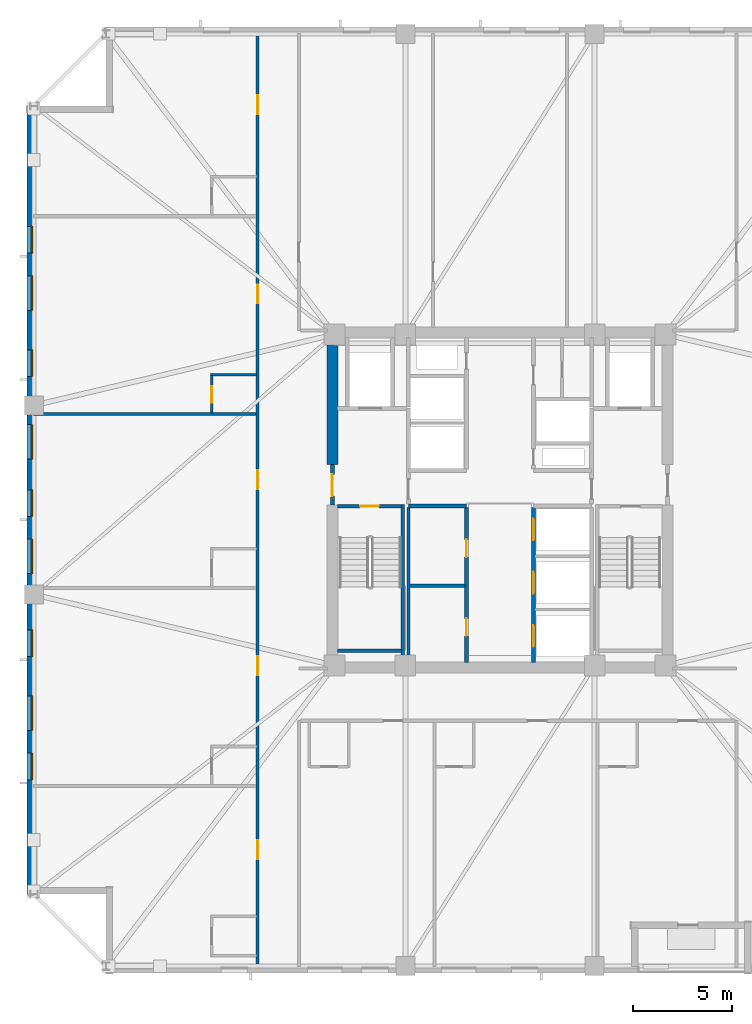
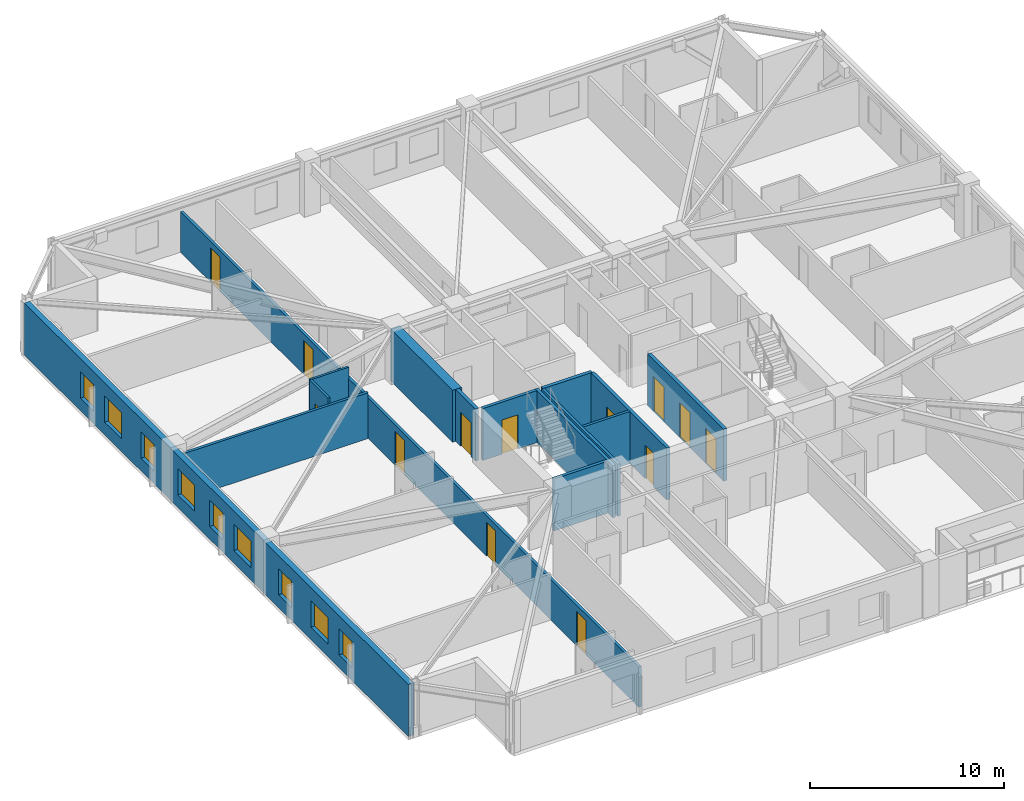
# One storey, part 3 of 11: 15 walls, 13 doors, 9 windows, 22 openings.
"""IFC4 building model written with IfcOpenShell, lengths in metres."""

from ifc_helpers import new_model, si_unit, direction, frame, frame_2d, origin, place, context, subcontext, project, spatial, rectangle, extrude, material, layer, layer_set, type_object, element, fill, save


model = new_model("IFC4")

# Units and contexts
model_context = context("Model", 3, precision=1e-05, world=origin(), true_north=direction((0.0, 1.0)))
body_context = subcontext(model_context, "Body", "Model", "MODEL_VIEW")
ifc_project = project(units=[si_unit("LENGTHUNIT", "METRE"), si_unit("AREAUNIT", "SQUARE_METRE"), si_unit("VOLUMEUNIT", "CUBIC_METRE"), si_unit("PLANEANGLEUNIT", "RADIAN"), si_unit("MASSUNIT", "GRAM", prefix="KILO")], contexts=[model_context])

# Site, building, storey
site_placement = place(None, origin())
site = spatial("IfcSite", under=ifc_project, at=site_placement, CompositionType="ELEMENT")
building_placement = place(site_placement, origin())
building = spatial("IfcBuilding", under=site, at=building_placement, Name="Cairnveth Concourse Tower", CompositionType="ELEMENT")
storey_placement = place(building_placement, frame((0.0, 0.0, 169.0)))
storey = spatial("IfcBuildingStorey", under=building, at=storey_placement, Name="L46", CompositionType="ELEMENT", Elevation=169.0)

# Walls
ifc_material_1 = material(Name="Gypsum Plasterboard Partition", Category="gypsum")
ifc_layer_1 = layer(ifc_material_1, 0.159912109375)
ifc_layer_set_1 = layer_set([ifc_layer_1], Name="Gypsum Plasterboard Partition")
wall_type_1 = type_object("IfcWallType", Name="ACOUSTIC PARTY WALL 180", PredefinedType="PARTITIONING", material=ifc_layer_set_1)
wall_1_placement = place(storey_placement, frame((47.35009765625, 30.760009765625, 0.0), z_axis=(0.0, 0.0, 1.0), x_axis=(0.0, 1.0, 0.0)))
element("IfcWall", 1, at=wall_1_placement, inside=storey, type_object=wall_type_1, Name="Interior Wall IW-L46-025", PredefinedType="PARTITIONING", context=body_context, shape_type="SweptSolid", body=[
    extrude(rectangle(XDim=7.85498046875, YDim=0.159912109375, at=frame_2d((3.927490234375, 0.0))), origin(), (0.0, 0.0, 1.0), 3.280029296875),
])
wall_2_placement = place(storey_placement, frame((47.4150390625, 34.64990234375, 0.0), z_axis=(0.0, 0.0, 1.0), x_axis=(1.0, 0.0, 0.0)))
element("IfcWall", 2, at=wall_2_placement, inside=storey, type_object=wall_type_1, Name="Interior Wall IW-L46-026", PredefinedType="PARTITIONING", context=body_context, shape_type="SweptSolid", body=[
    extrude(rectangle(XDim=2.800048828125, YDim=0.159912109375, at=frame_2d((1.39990234375, 0.0))), origin(), (0.0, 0.0, 1.0), 3.280029296875),
])

# Wall, openings, doors
wall_3_placement = place(storey_placement, frame((39.699951171875, 15.324951171875, 0.0), z_axis=(0.0, 0.0, 1.0), x_axis=(0.0, 1.0, 0.0)))
wall_3 = element("IfcWall", 3, at=wall_3_placement, inside=storey, type_object=wall_type_1, Name="Interior Wall IW-L46-037", PredefinedType="PARTITIONING", context=body_context, shape_type="SweptSolid", body=[
    extrude(rectangle(XDim=47.35009765625, YDim=0.159912109375, at=frame_2d((23.675048828125, 0.0))), origin(), (0.0, 0.0, 1.0), 2.554931640625),
])
opening_1_placement = place(wall_3_placement, frame((5.451416015625, 0.0, 0.0)))
opening_1 = element("IfcOpeningElement", 4, at=opening_1_placement, cuts=wall_3, Name="Opening ID09", PredefinedType="OPENING", context=body_context, shape_type="SweptSolid", body=[
    extrude(rectangle(XDim=0.9599609375, YDim=2.14990234375, at=frame_2d((0.47998046875, 1.074951171875))), frame((0.0, 0.08984375, 0.0), z_axis=(0.0, -1.0, 0.0), x_axis=(1.0, 0.0, 0.0)), (0.0, 0.0, 1.0), 0.179931640625),
])
opening_2_placement = place(wall_3_placement, frame((14.78271484375, 0.0, 0.0)))
opening_2 = element("IfcOpeningElement", 5, at=opening_2_placement, cuts=wall_3, Name="Opening ID09", PredefinedType="OPENING", context=body_context, shape_type="SweptSolid", body=[
    extrude(rectangle(XDim=0.9599609375, YDim=2.14990234375, at=frame_2d((0.47998046875, 1.074951171875))), frame((0.0, 0.08984375, 0.0), z_axis=(0.0, -1.0, 0.0), x_axis=(1.0, 0.0, 0.0)), (0.0, 0.0, 1.0), 0.179931640625),
])
opening_3_placement = place(wall_3_placement, frame((24.21484375, 0.0, 0.0)))
opening_3 = element("IfcOpeningElement", 6, at=opening_3_placement, cuts=wall_3, Name="Opening ID09", PredefinedType="OPENING", context=body_context, shape_type="SweptSolid", body=[
    extrude(rectangle(XDim=0.9599609375, YDim=2.14990234375, at=frame_2d((0.47998046875, 1.074951171875))), frame((0.0, 0.08984375, 0.0), z_axis=(0.0, -1.0, 0.0), x_axis=(1.0, 0.0, 0.0)), (0.0, 0.0, 1.0), 0.179931640625),
])
opening_4_placement = place(wall_3_placement, frame((33.646728515625, 0.0, 0.0)))
opening_4 = element("IfcOpeningElement", 7, at=opening_4_placement, cuts=wall_3, Name="Opening ID09", PredefinedType="OPENING", context=body_context, shape_type="SweptSolid", body=[
    extrude(rectangle(XDim=0.9599609375, YDim=2.14990234375, at=frame_2d((0.47998046875, 1.074951171875))), frame((0.0, 0.08984375, 0.0), z_axis=(0.0, -1.0, 0.0), x_axis=(1.0, 0.0, 0.0)), (0.0, 0.0, 1.0), 0.179931640625),
])
opening_5_placement = place(wall_3_placement, frame((43.25830078125, 0.0, 0.0)))
opening_5 = element("IfcOpeningElement", 8, at=opening_5_placement, cuts=wall_3, Name="Opening ID09", PredefinedType="OPENING", context=body_context, shape_type="SweptSolid", body=[
    extrude(rectangle(XDim=0.9599609375, YDim=2.14990234375, at=frame_2d((0.47998046875, 1.074951171875))), frame((0.0, 0.08984375, 0.0), z_axis=(0.0, -1.0, 0.0), x_axis=(1.0, 0.0, 0.0)), (0.0, 0.0, 1.0), 0.179931640625),
])
ifc_material_2 = material(Name="Solid Core Hardwood Timber Leaf", Category="wood")
door_type_1 = type_object("IfcDoorType", Name="HOTEL ENTRANCE DOOR 960X2150", OperationType="NOTDEFINED", PredefinedType="DOOR", material=ifc_material_2)
door_1_placement = place(opening_1_placement, origin())
door_1 = element("IfcDoor", 9, at=door_1_placement, inside=storey, type_object=door_type_1, Name="Hotel Room Door L46-W1", OperationType="SINGLE_SWING_RIGHT", OverallHeight=2.14990234375, OverallWidth=0.9599609375, PredefinedType="DOOR", context=body_context, shape_type="SweptSolid", body=[
    extrude(rectangle(XDim=0.9599609375, YDim=2.14990234375, at=frame_2d((0.47998046875, 1.074951171875))), frame((0.0, 0.02490234375, 0.0), z_axis=(0.0, -1.0, 0.0), x_axis=(1.0, 0.0, 0.0)), (0.0, 0.0, 1.0), 0.050048828125),
])
fill(opening_1, door_1)
door_2_placement = place(opening_2_placement, origin())
door_2 = element("IfcDoor", 10, at=door_2_placement, inside=storey, type_object=door_type_1, Name="Hotel Room Door L46-W2", OperationType="SINGLE_SWING_RIGHT", OverallHeight=2.14990234375, OverallWidth=0.9599609375, PredefinedType="DOOR", context=body_context, shape_type="SweptSolid", body=[
    extrude(rectangle(XDim=0.9599609375, YDim=2.14990234375, at=frame_2d((0.47998046875, 1.074951171875))), frame((0.0, 0.02490234375, 0.0), z_axis=(0.0, -1.0, 0.0), x_axis=(1.0, 0.0, 0.0)), (0.0, 0.0, 1.0), 0.050048828125),
])
fill(opening_2, door_2)
door_3_placement = place(opening_3_placement, origin())
door_3 = element("IfcDoor", 11, at=door_3_placement, inside=storey, type_object=door_type_1, Name="Hotel Room Door L46-W3", OperationType="SINGLE_SWING_RIGHT", OverallHeight=2.14990234375, OverallWidth=0.9599609375, PredefinedType="DOOR", context=body_context, shape_type="SweptSolid", body=[
    extrude(rectangle(XDim=0.9599609375, YDim=2.14990234375, at=frame_2d((0.47998046875, 1.074951171875))), frame((0.0, 0.02490234375, 0.0), z_axis=(0.0, -1.0, 0.0), x_axis=(1.0, 0.0, 0.0)), (0.0, 0.0, 1.0), 0.050048828125),
])
fill(opening_3, door_3)
door_4_placement = place(opening_4_placement, origin())
door_4 = element("IfcDoor", 12, at=door_4_placement, inside=storey, type_object=door_type_1, Name="Hotel Room Door L46-W4", OperationType="SINGLE_SWING_RIGHT", OverallHeight=2.14990234375, OverallWidth=0.9599609375, PredefinedType="DOOR", context=body_context, shape_type="SweptSolid", body=[
    extrude(rectangle(XDim=0.9599609375, YDim=2.14990234375, at=frame_2d((0.47998046875, 1.074951171875))), frame((0.0, 0.02490234375, 0.0), z_axis=(0.0, -1.0, 0.0), x_axis=(1.0, 0.0, 0.0)), (0.0, 0.0, 1.0), 0.050048828125),
])
fill(opening_4, door_4)
door_5_placement = place(opening_5_placement, origin())
door_5 = element("IfcDoor", 13, at=door_5_placement, inside=storey, type_object=door_type_1, Name="Hotel Room Door L46-W5", OperationType="SINGLE_SWING_RIGHT", OverallHeight=2.14990234375, OverallWidth=0.9599609375, PredefinedType="DOOR", context=body_context, shape_type="SweptSolid", body=[
    extrude(rectangle(XDim=0.9599609375, YDim=2.14990234375, at=frame_2d((0.47998046875, 1.074951171875))), frame((0.0, 0.02490234375, 0.0), z_axis=(0.0, -1.0, 0.0), x_axis=(1.0, 0.0, 0.0)), (0.0, 0.0, 1.0), 0.050048828125),
])
fill(opening_5, door_5)

# Walls
wall_4_placement = place(storey_placement, frame((28.324951171875, 43.35693359375, 0.0), z_axis=(0.0, 0.0, 1.0), x_axis=(1.0, 0.0, 0.0)))
element("IfcWall", 14, at=wall_4_placement, inside=storey, type_object=wall_type_1, Name="Interior Wall IW-L46-068", PredefinedType="PARTITIONING", context=body_context, shape_type="SweptSolid", body=[
    extrude(rectangle(XDim=11.295166015625, YDim=0.159912109375, at=frame_2d((5.6474609375, 0.0))), origin(), (0.0, 0.0, 1.0), 2.89599609375),
])
ifc_material_3 = material(Name="Concrete N80 (80 MPa)", Category="concrete")
ifc_layer_2 = layer(ifc_material_3, 0.550048828125)
ifc_layer_set_2 = layer_set([ifc_layer_2], Name="Concrete N80 (80 MPa)")
wall_type_2 = type_object("IfcWallType", Name="CORE SHEAR WALL 550", PredefinedType="SHEAR", material=ifc_layer_set_2)
wall_5_placement = place(storey_placement, frame((43.5, 40.800048828125, 0.0), z_axis=(0.0, 0.0, 1.0), x_axis=(0.0, 1.0, 0.0)))
element("IfcWall", 15, at=wall_5_placement, inside=storey, type_object=wall_type_2, Name="Core West Shear Wall N L46", PredefinedType="SHEAR", context=body_context, shape_type="SweptSolid", body=[
    extrude(rectangle(XDim=6.43505859375, YDim=0.550048828125, at=frame_2d((3.217529296875, 0.0))), origin(), (0.0, 0.0, 1.0), 3.280029296875),
])

# Wall, opening, door
ifc_material_4 = material(Name="Concrete N50 (50 MPa)", Category="concrete")
ifc_layer_3 = layer(ifc_material_4, 0.179931640625)
ifc_layer_set_3 = layer_set([ifc_layer_3], Name="Concrete N50 (50 MPa)")
wall_type_3 = type_object("IfcWallType", Name="FIRE SHAFT WALL 180", PredefinedType="SOLIDWALL", material=ifc_layer_set_3)
wall_6_placement = place(storey_placement, frame((43.764892578125, 38.68994140625, 0.0), z_axis=(0.0, 0.0, 1.0), x_axis=(1.0, 0.0, 0.0)))
wall_6 = element("IfcWall", 16, at=wall_6_placement, inside=storey, type_object=wall_type_3, Name="Stair ST-1 Shaft Wall NEAR L46", PredefinedType="SOLIDWALL", context=body_context, shape_type="SweptSolid", body=[
    extrude(rectangle(XDim=3.230224609375, YDim=0.179931640625, at=frame_2d((1.615234375, 0.0))), origin(), (0.0, 0.0, 1.0), 3.280029296875),
])
opening_6_placement = place(wall_6_placement, frame((1.139892578125, 0.0, 0.0)))
opening_6 = element("IfcOpeningElement", 17, at=opening_6_placement, cuts=wall_6, Name="Opening ID12", PredefinedType="OPENING", context=body_context, shape_type="SweptSolid", body=[
    extrude(rectangle(XDim=0.949951171875, YDim=2.14990234375, at=frame_2d((0.47509765625, 1.074951171875))), frame((0.0, 0.099853515625, 0.0), z_axis=(0.0, -1.0, 0.0), x_axis=(1.0, 0.0, 0.0)), (0.0, 0.0, 1.0), 0.199951171875),
])
ifc_material_5 = material(Name="Steel Grade 350", Category="steel")
door_type_2 = type_object("IfcDoorType", Name="FIRE STAIR DOOR 950X2150", OperationType="NOTDEFINED", PredefinedType="DOOR", material=ifc_material_5)
door_6_placement = place(opening_6_placement, origin())
door_6 = element("IfcDoor", 18, at=door_6_placement, inside=storey, type_object=door_type_2, Name="Stair ST-1 Fire Door L46", OperationType="SINGLE_SWING_LEFT", OverallHeight=2.14990234375, OverallWidth=0.949951171875, PredefinedType="DOOR", context=body_context, shape_type="SweptSolid", body=[
    extrude(rectangle(XDim=0.949951171875, YDim=2.14990234375, at=frame_2d((0.47509765625, 1.074951171875))), frame((0.0, 0.02490234375, 0.0), z_axis=(0.0, -1.0, 0.0), x_axis=(1.0, 0.0, 0.0)), (0.0, 0.0, 1.0), 0.050048828125),
])
fill(opening_6, door_6)

# Walls
wall_7_placement = place(storey_placement, frame((43.764892578125, 31.360107421875, 0.0), z_axis=(0.0, 0.0, 1.0), x_axis=(1.0, 0.0, 0.0)))
element("IfcWall", 19, at=wall_7_placement, inside=storey, type_object=wall_type_3, Name="Stair ST-1 Shaft Wall FAR L46", PredefinedType="SOLIDWALL", context=body_context, shape_type="SweptSolid", body=[
    extrude(rectangle(XDim=3.230224609375, YDim=0.179931640625, at=frame_2d((1.615234375, 0.0))), origin(), (0.0, 0.0, 1.0), 3.280029296875),
])
wall_8_placement = place(storey_placement, frame((47.070068359375, 38.780029296875, 0.0), z_axis=(0.0, 0.0, 1.0), x_axis=(0.0, -1.0, 0.0)))
element("IfcWall", 20, at=wall_8_placement, inside=storey, type_object=wall_type_3, Name="Stair ST-1 Shaft Wall RGHT L46", PredefinedType="SOLIDWALL", context=body_context, shape_type="SweptSolid", body=[
    extrude(rectangle(XDim=8.01708984375, YDim=0.179931640625, at=frame_2d((4.008544921875, 0.0))), origin(), (0.0, 0.0, 1.0), 3.280029296875),
])
ifc_layer_4 = layer(ifc_material_4, 0.199951171875)
ifc_layer_set_4 = layer_set([ifc_layer_4], Name="Concrete N50 (50 MPa)")
wall_type_4 = type_object("IfcWallType", Name="FIRE SHAFT WALL 200", PredefinedType="SOLIDWALL", material=ifc_layer_set_4)
wall_9_placement = place(storey_placement, frame((47.35009765625, 38.699951171875, 0.0), z_axis=(0.0, 0.0, 1.0), x_axis=(1.0, 0.0, 0.0)))
element("IfcWall", 21, at=wall_9_placement, inside=storey, type_object=wall_type_4, Name="Interior Wall IW-L46-007", PredefinedType="SOLIDWALL", context=body_context, shape_type="SweptSolid", body=[
    extrude(rectangle(XDim=2.949951171875, YDim=0.199951171875, at=frame_2d((1.47509765625, 0.0))), origin(), (0.0, 0.0, 1.0), 3.280029296875),
])

# Wall, openings, doors
wall_10_placement = place(storey_placement, frame((50.300048828125, 30.760009765625, 0.0), z_axis=(0.0, 0.0, 1.0), x_axis=(0.0, 1.0, 0.0)))
wall_10 = element("IfcWall", 22, at=wall_10_placement, inside=storey, type_object=wall_type_4, Name="Interior Wall IW-L46-011", PredefinedType="SOLIDWALL", context=body_context, shape_type="SweptSolid", body=[
    extrude(rectangle(XDim=7.85498046875, YDim=0.199951171875, at=frame_2d((3.927490234375, 0.0))), origin(), (0.0, 0.0, 1.0), 3.280029296875),
])
opening_7_placement = place(wall_10_placement, frame((1.340087890625, 0.0, 0.0)))
opening_7 = element("IfcOpeningElement", 23, at=opening_7_placement, cuts=wall_10, Name="Opening ID26", PredefinedType="OPENING", context=body_context, shape_type="SweptSolid", body=[
    extrude(rectangle(XDim=0.89990234375, YDim=2.1201171875, at=frame_2d((0.449951171875, 1.06005859375))), frame((0.0, 0.10986328125, 0.0), z_axis=(0.0, -1.0, 0.0), x_axis=(1.0, 0.0, 0.0)), (0.0, 0.0, 1.0), 0.219970703125),
])
opening_8_placement = place(wall_10_placement, frame((5.340087890625, 0.0, 0.0)))
opening_8 = element("IfcOpeningElement", 24, at=opening_8_placement, cuts=wall_10, Name="Opening ID26", PredefinedType="OPENING", context=body_context, shape_type="SweptSolid", body=[
    extrude(rectangle(XDim=0.89990234375, YDim=2.1201171875, at=frame_2d((0.449951171875, 1.06005859375))), frame((0.0, 0.10986328125, 0.0), z_axis=(0.0, -1.0, 0.0), x_axis=(1.0, 0.0, 0.0)), (0.0, 0.0, 1.0), 0.219970703125),
])
door_type_3 = type_object("IfcDoorType", Name="CORE TOILET FIRE DOOR 900X2120", OperationType="NOTDEFINED", PredefinedType="DOOR", material=ifc_material_5)
door_7_placement = place(opening_7_placement, origin())
door_7 = element("IfcDoor", 25, at=door_7_placement, inside=storey, type_object=door_type_3, Name="Male WC Door L46", OperationType="SINGLE_SWING_LEFT", OverallHeight=2.1201171875, OverallWidth=0.89990234375, PredefinedType="DOOR", context=body_context, shape_type="SweptSolid", body=[
    extrude(rectangle(XDim=0.89990234375, YDim=2.1201171875, at=frame_2d((0.449951171875, 1.06005859375))), frame((0.0, 0.02490234375, 0.0), z_axis=(0.0, -1.0, 0.0), x_axis=(1.0, 0.0, 0.0)), (0.0, 0.0, 1.0), 0.050048828125),
])
fill(opening_7, door_7)
door_8_placement = place(opening_8_placement, origin())
door_8 = element("IfcDoor", 26, at=door_8_placement, inside=storey, type_object=door_type_3, Name="Female WC Door L46", OperationType="SINGLE_SWING_RIGHT", OverallHeight=2.1201171875, OverallWidth=0.89990234375, PredefinedType="DOOR", context=body_context, shape_type="SweptSolid", body=[
    extrude(rectangle(XDim=0.89990234375, YDim=2.1201171875, at=frame_2d((0.449951171875, 1.06005859375))), frame((0.0, 0.02490234375, 0.0), z_axis=(0.0, -1.0, 0.0), x_axis=(1.0, 0.0, 0.0)), (0.0, 0.0, 1.0), 0.050048828125),
])
fill(opening_8, door_8)

wall_11_placement = place(storey_placement, frame((53.699951171875, 30.760009765625, 0.0), z_axis=(0.0, 0.0, 1.0), x_axis=(0.0, 1.0, 0.0)))
wall_11 = element("IfcWall", 27, at=wall_11_placement, inside=storey, type_object=wall_type_4, Name="Interior Wall IW-L46-012", PredefinedType="SOLIDWALL", context=body_context, shape_type="SweptSolid", body=[
    extrude(rectangle(XDim=7.85498046875, YDim=0.199951171875, at=frame_2d((3.927490234375, 0.0))), origin(), (0.0, 0.0, 1.0), 3.280029296875),
])
opening_9_placement = place(wall_11_placement, frame((0.7900390625, 0.0, 0.0)))
opening_9 = element("IfcOpeningElement", 28, at=opening_9_placement, cuts=wall_11, Name="Opening LD-1", PredefinedType="OPENING", context=body_context, shape_type="SweptSolid", body=[
    extrude(rectangle(XDim=1.10009765625, YDim=2.199951171875, at=frame_2d((0.550048828125, 1.10009765625))), frame((0.0, 0.10986328125, 0.0), z_axis=(0.0, -1.0, 0.0), x_axis=(1.0, 0.0, 0.0)), (0.0, 0.0, 1.0), 0.219970703125),
])
opening_10_placement = place(wall_11_placement, frame((3.489990234375, 0.0, 0.0)))
opening_10 = element("IfcOpeningElement", 29, at=opening_10_placement, cuts=wall_11, Name="Opening LD-1", PredefinedType="OPENING", context=body_context, shape_type="SweptSolid", body=[
    extrude(rectangle(XDim=1.10009765625, YDim=2.199951171875, at=frame_2d((0.550048828125, 1.10009765625))), frame((0.0, 0.10986328125, 0.0), z_axis=(0.0, -1.0, 0.0), x_axis=(1.0, 0.0, 0.0)), (0.0, 0.0, 1.0), 0.219970703125),
])
opening_11_placement = place(wall_11_placement, frame((6.18994140625, 0.0, 0.0)))
opening_11 = element("IfcOpeningElement", 30, at=opening_11_placement, cuts=wall_11, Name="Opening LD-1", PredefinedType="OPENING", context=body_context, shape_type="SweptSolid", body=[
    extrude(rectangle(XDim=1.10009765625, YDim=2.199951171875, at=frame_2d((0.550048828125, 1.10009765625))), frame((0.0, 0.10986328125, 0.0), z_axis=(0.0, -1.0, 0.0), x_axis=(1.0, 0.0, 0.0)), (0.0, 0.0, 1.0), 0.219970703125),
])
ifc_material_6 = material(Name="Architectural Bronze Anodised Aluminium 6063-T6", Category="aluminium")
door_type_4 = type_object("IfcDoorType", Name="LIFT LANDING DOOR 1100X2200", OperationType="SLIDING_TO_LEFT", PredefinedType="DOOR", material=ifc_material_6)
door_9_placement = place(opening_9_placement, origin())
door_9 = element("IfcDoor", 31, at=door_9_placement, inside=storey, type_object=door_type_4, Name="Lift PL4 Landing Door L46", OperationType="SLIDING_TO_LEFT", OverallHeight=2.199951171875, OverallWidth=1.10009765625, PredefinedType="DOOR", context=body_context, shape_type="SweptSolid", body=[
    extrude(rectangle(XDim=1.10009765625, YDim=2.199951171875, at=frame_2d((0.550048828125, 1.10009765625))), frame((0.0, 0.02490234375, 0.0), z_axis=(0.0, -1.0, 0.0), x_axis=(1.0, 0.0, 0.0)), (0.0, 0.0, 1.0), 0.050048828125),
])
fill(opening_9, door_9)
door_10_placement = place(opening_10_placement, origin())
door_10 = element("IfcDoor", 32, at=door_10_placement, inside=storey, type_object=door_type_4, Name="Lift PL5 Landing Door L46", OperationType="SLIDING_TO_LEFT", OverallHeight=2.199951171875, OverallWidth=1.10009765625, PredefinedType="DOOR", context=body_context, shape_type="SweptSolid", body=[
    extrude(rectangle(XDim=1.10009765625, YDim=2.199951171875, at=frame_2d((0.550048828125, 1.10009765625))), frame((0.0, 0.02490234375, 0.0), z_axis=(0.0, -1.0, 0.0), x_axis=(1.0, 0.0, 0.0)), (0.0, 0.0, 1.0), 0.050048828125),
])
fill(opening_10, door_10)
door_11_placement = place(opening_11_placement, origin())
door_11 = element("IfcDoor", 33, at=door_11_placement, inside=storey, type_object=door_type_4, Name="Lift PL6 Landing Door L46", OperationType="SLIDING_TO_LEFT", OverallHeight=2.199951171875, OverallWidth=1.10009765625, PredefinedType="DOOR", context=body_context, shape_type="SweptSolid", body=[
    extrude(rectangle(XDim=1.10009765625, YDim=2.199951171875, at=frame_2d((0.550048828125, 1.10009765625))), frame((0.0, 0.02490234375, 0.0), z_axis=(0.0, -1.0, 0.0), x_axis=(1.0, 0.0, 0.0)), (0.0, 0.0, 1.0), 0.050048828125),
])
fill(opening_11, door_11)

# Wall, opening, door
wall_12_placement = place(storey_placement, frame((43.5, 38.75, 0.0), z_axis=(0.0, 0.0, 1.0), x_axis=(0.0, 1.0, 0.0)))
wall_12 = element("IfcWall", 34, at=wall_12_placement, inside=storey, type_object=wall_type_4, Name="Interior Wall IW-L46-015", PredefinedType="SOLIDWALL", context=body_context, shape_type="SweptSolid", body=[
    extrude(rectangle(XDim=2.050048828125, YDim=0.199951171875, at=frame_2d((1.02490234375, 0.0))), origin(), (0.0, 0.0, 1.0), 3.280029296875),
])
opening_12_placement = place(wall_12_placement, frame((0.449951171875, 0.0, 0.0)))
opening_12 = element("IfcOpeningElement", 35, at=opening_12_placement, cuts=wall_12, Name="Opening ID06", PredefinedType="OPENING", context=body_context, shape_type="SweptSolid", body=[
    extrude(rectangle(XDim=1.10009765625, YDim=2.14990234375, at=frame_2d((0.550048828125, 1.074951171875))), frame((0.0, 0.10986328125, 0.0), z_axis=(0.0, -1.0, 0.0), x_axis=(1.0, 0.0, 0.0)), (0.0, 0.0, 1.0), 0.219970703125),
])
door_type_5 = type_object("IfcDoorType", Name="FIRE CORRIDOR DOOR 1100X2150", OperationType="NOTDEFINED", PredefinedType="DOOR", material=ifc_material_5)
door_12_placement = place(opening_12_placement, origin())
door_12 = element("IfcDoor", 36, at=door_12_placement, inside=storey, type_object=door_type_5, Name="West Wing to FF Lobby Door L46", OperationType="SINGLE_SWING_LEFT", OverallHeight=2.14990234375, OverallWidth=1.10009765625, PredefinedType="DOOR", context=body_context, shape_type="SweptSolid", body=[
    extrude(rectangle(XDim=1.10009765625, YDim=2.14990234375, at=frame_2d((0.550048828125, 1.074951171875))), frame((0.0, 0.02490234375, 0.0), z_axis=(0.0, -1.0, 0.0), x_axis=(1.0, 0.0, 0.0)), (0.0, 0.0, 1.0), 0.050048828125),
])
fill(opening_12, door_12)

# Wall
ifc_layer_5 = layer(ifc_material_1, 0.1298828125)
ifc_layer_set_5 = layer_set([ifc_layer_5], Name="Gypsum Plasterboard Partition")
wall_type_5 = type_object("IfcWallType", Name="WET AREA PARTITION 140", PredefinedType="PLUMBINGWALL", material=ifc_layer_set_5)
wall_13_placement = place(storey_placement, frame((37.320068359375, 45.35693359375, 0.0), z_axis=(0.0, 0.0, 1.0), x_axis=(1.0, 0.0, 0.0)))
element("IfcWall", 37, at=wall_13_placement, inside=storey, type_object=wall_type_5, Name="Interior Wall IW-L46-069", PredefinedType="PLUMBINGWALL", context=body_context, shape_type="SweptSolid", body=[
    extrude(rectangle(XDim=2.31494140625, YDim=0.1298828125, at=frame_2d((1.157470703125, 0.0))), origin(), (0.0, 0.0, 1.0), 3.280029296875),
])

# Wall, opening, door
wall_14_placement = place(storey_placement, frame((37.3701171875, 43.421875, 0.0), z_axis=(0.0, 0.0, 1.0), x_axis=(0.0, 1.0, 0.0)))
wall_14 = element("IfcWall", 38, at=wall_14_placement, inside=storey, type_object=wall_type_5, Name="Interior Wall IW-L46-070", PredefinedType="PLUMBINGWALL", context=body_context, shape_type="SweptSolid", body=[
    extrude(rectangle(XDim=1.885009765625, YDim=0.1298828125, at=frame_2d((0.9423828125, 0.0))), origin(), (0.0, 0.0, 1.0), 3.280029296875),
])
opening_13_placement = place(wall_14_placement, frame((0.52490234375, 0.0, 0.0)))
opening_13 = element("IfcOpeningElement", 39, at=opening_13_placement, cuts=wall_14, Name="Opening ID22", PredefinedType="OPENING", context=body_context, shape_type="SweptSolid", body=[
    extrude(rectangle(XDim=0.820068359375, YDim=2.10009765625, at=frame_2d((0.41015625, 1.050048828125))), frame((0.0, 0.074951171875, 0.0), z_axis=(0.0, -1.0, 0.0), x_axis=(1.0, 0.0, 0.0)), (0.0, 0.0, 1.0), 0.14990234375),
])
door_type_6 = type_object("IfcDoorType", Name="INTERIOR WC DOOR 820X2100", OperationType="NOTDEFINED", PredefinedType="DOOR", material=ifc_material_2)
door_13_placement = place(opening_13_placement, origin())
door_13 = element("IfcDoor", 40, at=door_13_placement, inside=storey, type_object=door_type_6, Name="En-Suite Door L46-W4", OperationType="SINGLE_SWING_LEFT", OverallHeight=2.10009765625, OverallWidth=0.820068359375, PredefinedType="DOOR", context=body_context, shape_type="SweptSolid", body=[
    extrude(rectangle(XDim=0.820068359375, YDim=2.10009765625, at=frame_2d((0.41015625, 1.050048828125))), frame((0.0, 0.02490234375, 0.0), z_axis=(0.0, -1.0, 0.0), x_axis=(1.0, 0.0, 0.0)), (0.0, 0.0, 1.0), 0.050048828125),
])
fill(opening_13, door_13)

# Wall, openings, windows
ifc_material_7 = material(Name="Hawthorn Red-Ochre Fired Clay Brick Masonry", Category="masonry")
ifc_layer_6 = layer(ifc_material_7, 0.340087890625)
ifc_layer_set_6 = layer_set([ifc_layer_6], Name="Hawthorn Red-Ochre Fired Clay Brick Masonry")
wall_type_6 = type_object("IfcWallType", Name="ZONE 2 BRICK PIER SPANDREL WALL 340", PredefinedType="SOLIDWALL", material=ifc_layer_set_6)
wall_15_placement = place(storey_placement, frame((28.169921875, 19.0, 0.0), z_axis=(0.0, 0.0, 1.0), x_axis=(0.0, 1.0, 0.0)))
wall_15 = element("IfcWall", 41, at=wall_15_placement, inside=storey, type_object=wall_type_6, Name="Exterior Wall EW-L46-S03", PredefinedType="SOLIDWALL", context=body_context, shape_type="SweptSolid", body=[
    extrude(rectangle(XDim=39.681884765625, YDim=0.340087890625, at=frame_2d((19.8408203125, 0.0))), origin(), (0.0, 0.0, 1.0), 3.280029296875),
])
opening_14_placement = place(wall_15_placement, frame((5.8017578125, 0.0, 0.800048828125)))
opening_14 = element("IfcOpeningElement", 42, at=opening_14_placement, cuts=wall_15, Name="Opening W02", PredefinedType="OPENING", context=body_context, shape_type="SweptSolid", body=[
    extrude(rectangle(XDim=1.35009765625, YDim=1.659912109375, at=frame_2d((0.675048828125, 0.830078125))), frame((0.0, 0.179931640625, 0.0), z_axis=(0.0, -1.0, 0.0), x_axis=(1.0, 0.0, 0.0)), (0.0, 0.0, 1.0), 0.360107421875),
])
opening_15_placement = place(wall_15_placement, frame((8.305419921875, 0.0, 0.800048828125)))
opening_15 = element("IfcOpeningElement", 43, at=opening_15_placement, cuts=wall_15, Name="Opening W06", PredefinedType="OPENING", context=body_context, shape_type="SweptSolid", body=[
    extrude(rectangle(XDim=1.75, YDim=1.659912109375, at=frame_2d((0.875, 0.830078125))), frame((0.0, 0.179931640625, 0.0), z_axis=(0.0, -1.0, 0.0), x_axis=(1.0, 0.0, 0.0)), (0.0, 0.0, 1.0), 0.360107421875),
])
opening_16_placement = place(wall_15_placement, frame((12.058837890625, 0.0, 0.800048828125)))
opening_16 = element("IfcOpeningElement", 44, at=opening_16_placement, cuts=wall_15, Name="Opening W02", PredefinedType="OPENING", context=body_context, shape_type="SweptSolid", body=[
    extrude(rectangle(XDim=1.35009765625, YDim=1.659912109375, at=frame_2d((0.675048828125, 0.830078125))), frame((0.0, 0.179931640625, 0.0), z_axis=(0.0, -1.0, 0.0), x_axis=(1.0, 0.0, 0.0)), (0.0, 0.0, 1.0), 0.360107421875),
])
opening_17_placement = place(wall_15_placement, frame((16.262451171875, 0.0, 0.800048828125)))
opening_17 = element("IfcOpeningElement", 45, at=opening_17_placement, cuts=wall_15, Name="Opening W06", PredefinedType="OPENING", context=body_context, shape_type="SweptSolid", body=[
    extrude(rectangle(XDim=1.75, YDim=1.659912109375, at=frame_2d((0.875, 0.830078125))), frame((0.0, 0.179931640625, 0.0), z_axis=(0.0, -1.0, 0.0), x_axis=(1.0, 0.0, 0.0)), (0.0, 0.0, 1.0), 0.360107421875),
])
opening_18_placement = place(wall_15_placement, frame((19.166015625, 0.0, 0.800048828125)))
opening_18 = element("IfcOpeningElement", 46, at=opening_18_placement, cuts=wall_15, Name="Opening W02", PredefinedType="OPENING", context=body_context, shape_type="SweptSolid", body=[
    extrude(rectangle(XDim=1.35009765625, YDim=1.659912109375, at=frame_2d((0.675048828125, 0.830078125))), frame((0.0, 0.179931640625, 0.0), z_axis=(0.0, -1.0, 0.0), x_axis=(1.0, 0.0, 0.0)), (0.0, 0.0, 1.0), 0.360107421875),
])
opening_19_placement = place(wall_15_placement, frame((22.069580078125, 0.0, 0.800048828125)))
opening_19 = element("IfcOpeningElement", 47, at=opening_19_placement, cuts=wall_15, Name="Opening W06", PredefinedType="OPENING", context=body_context, shape_type="SweptSolid", body=[
    extrude(rectangle(XDim=1.75, YDim=1.659912109375, at=frame_2d((0.875, 0.830078125))), frame((0.0, 0.179931640625, 0.0), z_axis=(0.0, -1.0, 0.0), x_axis=(1.0, 0.0, 0.0)), (0.0, 0.0, 1.0), 0.360107421875),
])
opening_20_placement = place(wall_15_placement, frame((26.273193359375, 0.0, 0.800048828125)))
opening_20 = element("IfcOpeningElement", 48, at=opening_20_placement, cuts=wall_15, Name="Opening W02", PredefinedType="OPENING", context=body_context, shape_type="SweptSolid", body=[
    extrude(rectangle(XDim=1.35009765625, YDim=1.659912109375, at=frame_2d((0.675048828125, 0.830078125))), frame((0.0, 0.179931640625, 0.0), z_axis=(0.0, -1.0, 0.0), x_axis=(1.0, 0.0, 0.0)), (0.0, 0.0, 1.0), 0.360107421875),
])
opening_21_placement = place(wall_15_placement, frame((29.626708984375, 0.0, 0.800048828125)))
opening_21 = element("IfcOpeningElement", 49, at=opening_21_placement, cuts=wall_15, Name="Opening W06", PredefinedType="OPENING", context=body_context, shape_type="SweptSolid", body=[
    extrude(rectangle(XDim=1.75, YDim=1.659912109375, at=frame_2d((0.875, 0.830078125))), frame((0.0, 0.179931640625, 0.0), z_axis=(0.0, -1.0, 0.0), x_axis=(1.0, 0.0, 0.0)), (0.0, 0.0, 1.0), 0.360107421875),
])
opening_22_placement = place(wall_15_placement, frame((32.5302734375, 0.0, 0.800048828125)))
opening_22 = element("IfcOpeningElement", 50, at=opening_22_placement, cuts=wall_15, Name="Opening W02", PredefinedType="OPENING", context=body_context, shape_type="SweptSolid", body=[
    extrude(rectangle(XDim=1.35009765625, YDim=1.659912109375, at=frame_2d((0.675048828125, 0.830078125))), frame((0.0, 0.179931640625, 0.0), z_axis=(0.0, -1.0, 0.0), x_axis=(1.0, 0.0, 0.0)), (0.0, 0.0, 1.0), 0.360107421875),
])
ifc_material_8 = material(Name="Double Glazed Low-E Clear Glass", Category="glass")
window_type_1 = type_object("IfcWindowType", Name="DEEP-SET GOTHIC LANCET WINDOW 1350X1800", PartitioningType="DOUBLE_PANEL_VERTICAL", PredefinedType="WINDOW", material=ifc_material_8)
window_1_placement = place(opening_14_placement, origin())
window_1 = element("IfcWindow", 51, at=window_1_placement, inside=storey, type_object=window_type_1, Name="Gothic Lancet Window L46-3-1", OverallHeight=1.659912109375, OverallWidth=1.35009765625, PartitioningType="SINGLE_PANEL", PredefinedType="WINDOW", context=body_context, shape_type="SweptSolid", body=[
    extrude(rectangle(XDim=1.35009765625, YDim=1.659912109375, at=frame_2d((0.675048828125, 0.830078125))), frame((0.0, -0.050048828125, 0.0), z_axis=(0.0, -1.0, 0.0), x_axis=(1.0, 0.0, 0.0)), (0.0, 0.0, 1.0), 0.06005859375),
])
fill(opening_14, window_1)
window_2_placement = place(opening_16_placement, origin())
window_2 = element("IfcWindow", 52, at=window_2_placement, inside=storey, type_object=window_type_1, Name="Gothic Lancet Window L46-3-3", OverallHeight=1.659912109375, OverallWidth=1.35009765625, PartitioningType="SINGLE_PANEL", PredefinedType="WINDOW", context=body_context, shape_type="SweptSolid", body=[
    extrude(rectangle(XDim=1.35009765625, YDim=1.659912109375, at=frame_2d((0.675048828125, 0.830078125))), frame((0.0, -0.050048828125, 0.0), z_axis=(0.0, -1.0, 0.0), x_axis=(1.0, 0.0, 0.0)), (0.0, 0.0, 1.0), 0.06005859375),
])
fill(opening_16, window_2)
window_3_placement = place(opening_18_placement, origin())
window_3 = element("IfcWindow", 53, at=window_3_placement, inside=storey, type_object=window_type_1, Name="Gothic Lancet Window L46-3-5", OverallHeight=1.659912109375, OverallWidth=1.35009765625, PartitioningType="SINGLE_PANEL", PredefinedType="WINDOW", context=body_context, shape_type="SweptSolid", body=[
    extrude(rectangle(XDim=1.35009765625, YDim=1.659912109375, at=frame_2d((0.675048828125, 0.830078125))), frame((0.0, -0.050048828125, 0.0), z_axis=(0.0, -1.0, 0.0), x_axis=(1.0, 0.0, 0.0)), (0.0, 0.0, 1.0), 0.06005859375),
])
fill(opening_18, window_3)
window_4_placement = place(opening_20_placement, origin())
window_4 = element("IfcWindow", 54, at=window_4_placement, inside=storey, type_object=window_type_1, Name="Gothic Lancet Window L46-3-7", OverallHeight=1.659912109375, OverallWidth=1.35009765625, PartitioningType="SINGLE_PANEL", PredefinedType="WINDOW", context=body_context, shape_type="SweptSolid", body=[
    extrude(rectangle(XDim=1.35009765625, YDim=1.659912109375, at=frame_2d((0.675048828125, 0.830078125))), frame((0.0, -0.050048828125, 0.0), z_axis=(0.0, -1.0, 0.0), x_axis=(1.0, 0.0, 0.0)), (0.0, 0.0, 1.0), 0.06005859375),
])
fill(opening_20, window_4)
window_5_placement = place(opening_22_placement, origin())
window_5 = element("IfcWindow", 55, at=window_5_placement, inside=storey, type_object=window_type_1, Name="Gothic Lancet Window L46-3-9", OverallHeight=1.659912109375, OverallWidth=1.35009765625, PartitioningType="SINGLE_PANEL", PredefinedType="WINDOW", context=body_context, shape_type="SweptSolid", body=[
    extrude(rectangle(XDim=1.35009765625, YDim=1.659912109375, at=frame_2d((0.675048828125, 0.830078125))), frame((0.0, -0.050048828125, 0.0), z_axis=(0.0, -1.0, 0.0), x_axis=(1.0, 0.0, 0.0)), (0.0, 0.0, 1.0), 0.06005859375),
])
fill(opening_22, window_5)
window_type_2 = type_object("IfcWindowType", Name="DEEP-SET HOTEL SUITE WINDOW 1750X1800", PartitioningType="DOUBLE_PANEL_VERTICAL", PredefinedType="WINDOW", material=ifc_material_8)
window_6_placement = place(opening_15_placement, origin())
window_6 = element("IfcWindow", 56, at=window_6_placement, inside=storey, type_object=window_type_2, Name="Gothic Lancet Window L46-3-2", OverallHeight=1.659912109375, OverallWidth=1.75, PartitioningType="SINGLE_PANEL", PredefinedType="WINDOW", context=body_context, shape_type="SweptSolid", body=[
    extrude(rectangle(XDim=1.75, YDim=1.659912109375, at=frame_2d((0.875, 0.830078125))), frame((0.0, -0.050048828125, 0.0), z_axis=(0.0, -1.0, 0.0), x_axis=(1.0, 0.0, 0.0)), (0.0, 0.0, 1.0), 0.06005859375),
])
fill(opening_15, window_6)
window_7_placement = place(opening_17_placement, origin())
window_7 = element("IfcWindow", 57, at=window_7_placement, inside=storey, type_object=window_type_2, Name="Gothic Lancet Window L46-3-4", OverallHeight=1.659912109375, OverallWidth=1.75, PartitioningType="SINGLE_PANEL", PredefinedType="WINDOW", context=body_context, shape_type="SweptSolid", body=[
    extrude(rectangle(XDim=1.75, YDim=1.659912109375, at=frame_2d((0.875, 0.830078125))), frame((0.0, -0.050048828125, 0.0), z_axis=(0.0, -1.0, 0.0), x_axis=(1.0, 0.0, 0.0)), (0.0, 0.0, 1.0), 0.06005859375),
])
fill(opening_17, window_7)
window_8_placement = place(opening_19_placement, origin())
window_8 = element("IfcWindow", 58, at=window_8_placement, inside=storey, type_object=window_type_2, Name="Gothic Lancet Window L46-3-6", OverallHeight=1.659912109375, OverallWidth=1.75, PartitioningType="SINGLE_PANEL", PredefinedType="WINDOW", context=body_context, shape_type="SweptSolid", body=[
    extrude(rectangle(XDim=1.75, YDim=1.659912109375, at=frame_2d((0.875, 0.830078125))), frame((0.0, -0.050048828125, 0.0), z_axis=(0.0, -1.0, 0.0), x_axis=(1.0, 0.0, 0.0)), (0.0, 0.0, 1.0), 0.06005859375),
])
fill(opening_19, window_8)
window_9_placement = place(opening_21_placement, origin())
window_9 = element("IfcWindow", 59, at=window_9_placement, inside=storey, type_object=window_type_2, Name="Gothic Lancet Window L46-3-8", OverallHeight=1.659912109375, OverallWidth=1.75, PartitioningType="SINGLE_PANEL", PredefinedType="WINDOW", context=body_context, shape_type="SweptSolid", body=[
    extrude(rectangle(XDim=1.75, YDim=1.659912109375, at=frame_2d((0.875, 0.830078125))), frame((0.0, -0.050048828125, 0.0), z_axis=(0.0, -1.0, 0.0), x_axis=(1.0, 0.0, 0.0)), (0.0, 0.0, 1.0), 0.06005859375),
])
fill(opening_21, window_9)

save(model, "model.ifc")
